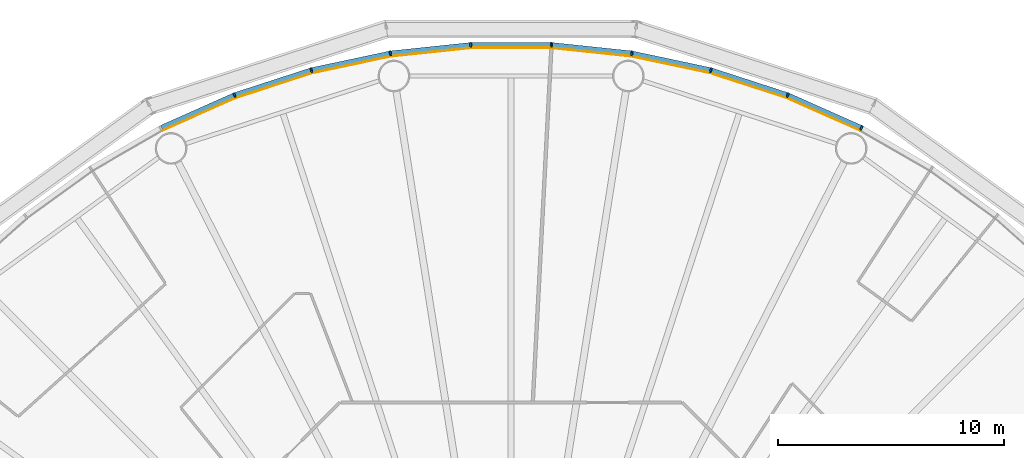
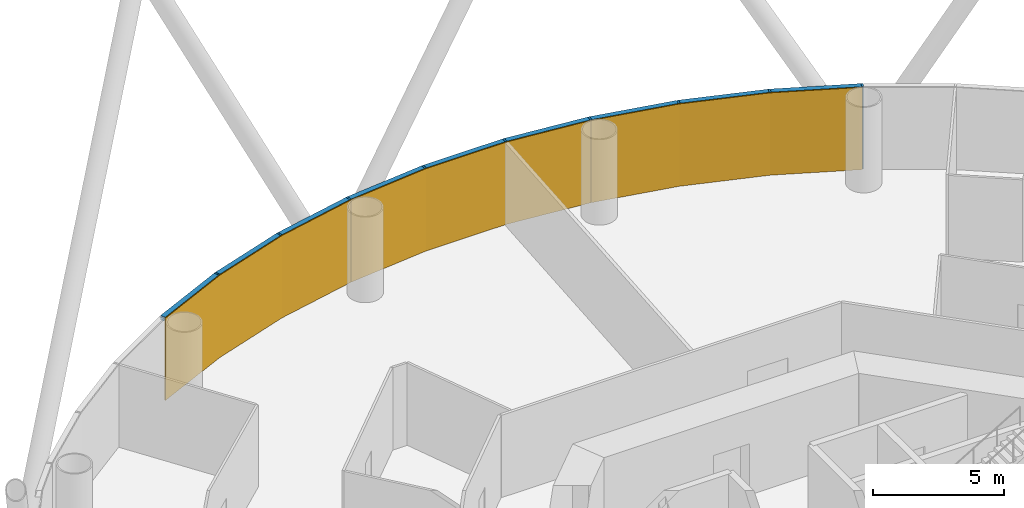
# One storey, part 12 of 13: 18 members, 3 curtain walls.
"""IFC4 building model written with IfcOpenShell, lengths in metres."""

from ifc_helpers import new_model, si_unit, direction, frame, origin, origin_2d, place, context, subcontext, project, spatial, polyline, rectangle, outline, extrude, material, layer, layer_set, material_profile, profile_set, type_object, element, aggregate, save


model = new_model("IFC4")

# Units and contexts
model_context = context("Model", 3, precision=1e-05, world=origin(), true_north=direction((0.0, 1.0)))
body_context = subcontext(model_context, "Body", "Model", "MODEL_VIEW")
ifc_project = project(units=[si_unit("LENGTHUNIT", "METRE"), si_unit("AREAUNIT", "SQUARE_METRE"), si_unit("VOLUMEUNIT", "CUBIC_METRE"), si_unit("PLANEANGLEUNIT", "RADIAN"), si_unit("MASSUNIT", "GRAM", prefix="KILO")], contexts=[model_context])

# Member
ifc_material_1 = material(Name="Anodised aluminium", Category="aluminium")
ifc_material_profile_1 = material_profile(ifc_material_1, rectangle(XDim=0.074951171875, YDim=0.219970703125, at=origin_2d()), Name="Mullion 75 x 220 mm anodised aluminium")
ifc_profile_set_1 = profile_set([ifc_material_profile_1], Name="Anodised aluminium")
member_type_1 = type_object("IfcMemberType", Name="Mullion 75 x 220 mm anodised aluminium", PredefinedType="MULLION", material=ifc_profile_set_1)
site_placement = place(None, origin())
building_placement = place(site_placement, origin())
storey_placement = place(building_placement, frame((0.0, 0.0, 54.0)))
member_1_placement = place(storey_placement, frame((105.485595703125, 110.392333984375, 0.0), z_axis=(0.0, 0.0, 1.0), x_axis=(-0.891006524188, 0.45399049974, 0.0)))
member_1 = element("IfcMember", 1, at=member_1_placement, type_object=member_type_1, Name="MULLION L11-09", PredefinedType="MULLION", context=body_context, shape_type="SweptSolid", body=[
    extrude(rectangle(XDim=0.074951171875, YDim=0.219970703125, at=origin_2d()), origin(), (0.0, 0.0, 1.0), 3.85009765625),
])

member_2_placement = place(storey_placement, frame((102.223876953125, 111.844482421875, 0.0), z_axis=(0.0, 0.0, 1.0), x_axis=(-0.933580426497, 0.358367949545, 0.0)))
member_2 = element("IfcMember", 2, at=member_2_placement, type_object=member_type_1, Name="MULLION L11-10", PredefinedType="MULLION", context=body_context, shape_type="SweptSolid", body=[
    extrude(rectangle(XDim=0.074951171875, YDim=0.219970703125, at=origin_2d()), origin(), (0.0, 0.0, 1.0), 3.85009765625),
])

member_3_placement = place(storey_placement, frame((98.828369140625, 112.94775390625, 0.0), z_axis=(0.0, 0.0, 1.0), x_axis=(-0.965925826289, 0.258819045103, 0.0)))
member_3 = element("IfcMember", 3, at=member_3_placement, type_object=member_type_1, Name="MULLION L11-11", PredefinedType="MULLION", context=body_context, shape_type="SweptSolid", body=[
    extrude(rectangle(XDim=0.074951171875, YDim=0.219970703125, at=origin_2d()), origin(), (0.0, 0.0, 1.0), 3.85009765625),
])

member_4_placement = place(storey_placement, frame((95.3359375, 113.68994140625, 0.0), z_axis=(0.0, 0.0, 1.0), x_axis=(-0.987688340595, 0.15643446504, 0.0)))
member_4 = element("IfcMember", 4, at=member_4_placement, type_object=member_type_1, Name="MULLION L11-12", PredefinedType="MULLION", context=body_context, shape_type="SweptSolid", body=[
    extrude(rectangle(XDim=0.074951171875, YDim=0.219970703125, at=origin_2d()), origin(), (0.0, 0.0, 1.0), 3.85009765625),
])

member_5_placement = place(storey_placement, frame((91.78515625, 114.063232421875, 0.0), z_axis=(0.0, 0.0, 1.0), x_axis=(-0.998629534755, 0.052335956243, 0.0)))
member_5 = element("IfcMember", 5, at=member_5_placement, type_object=member_type_1, Name="MULLION L11-13", PredefinedType="MULLION", context=body_context, shape_type="SweptSolid", body=[
    extrude(rectangle(XDim=0.074951171875, YDim=0.219970703125, at=origin_2d()), origin(), (0.0, 0.0, 1.0), 3.85009765625),
])

member_6_placement = place(storey_placement, frame((88.21484375, 114.063232421875, 0.0), z_axis=(0.0, 0.0, 1.0), x_axis=(-0.998629534755, -0.052335956243, 0.0)))
member_6 = element("IfcMember", 6, at=member_6_placement, type_object=member_type_1, Name="MULLION L11-14", PredefinedType="MULLION", context=body_context, shape_type="SweptSolid", body=[
    extrude(rectangle(XDim=0.074951171875, YDim=0.219970703125, at=origin_2d()), origin(), (0.0, 0.0, 1.0), 3.85009765625),
])

member_7_placement = place(storey_placement, frame((84.6640625, 113.68994140625, 0.0), z_axis=(0.0, 0.0, 1.0), x_axis=(-0.987688340595, -0.15643446504, 0.0)))
member_7 = element("IfcMember", 7, at=member_7_placement, type_object=member_type_1, Name="MULLION L11-15", PredefinedType="MULLION", context=body_context, shape_type="SweptSolid", body=[
    extrude(rectangle(XDim=0.074951171875, YDim=0.219970703125, at=origin_2d()), origin(), (0.0, 0.0, 1.0), 3.85009765625),
])

member_8_placement = place(storey_placement, frame((81.171630859375, 112.94775390625, 0.0), z_axis=(0.0, 0.0, 1.0), x_axis=(-0.965925826289, -0.258819045103, 0.0)))
member_8 = element("IfcMember", 8, at=member_8_placement, type_object=member_type_1, Name="MULLION L11-16", PredefinedType="MULLION", context=body_context, shape_type="SweptSolid", body=[
    extrude(rectangle(XDim=0.074951171875, YDim=0.219970703125, at=origin_2d()), origin(), (0.0, 0.0, 1.0), 3.85009765625),
])

member_9_placement = place(storey_placement, frame((77.776123046875, 111.844482421875, 0.0), z_axis=(0.0, 0.0, 1.0), x_axis=(-0.933580426497, -0.358367949545, 0.0)))
member_9 = element("IfcMember", 9, at=member_9_placement, type_object=member_type_1, Name="MULLION L11-17", PredefinedType="MULLION", context=body_context, shape_type="SweptSolid", body=[
    extrude(rectangle(XDim=0.074951171875, YDim=0.219970703125, at=origin_2d()), origin(), (0.0, 0.0, 1.0), 3.85009765625),
])

ifc_material_2 = material(Name="Anodised aluminium", Category="aluminium")
ifc_material_profile_2 = material_profile(ifc_material_2, rectangle(XDim=0.219970703125, YDim=0.199951171875, at=origin_2d()), Name="Transom 200 x 220 mm anodised aluminium")
ifc_profile_set_2 = profile_set([ifc_material_profile_2], Name="Anodised aluminium")
member_type_2 = type_object("IfcMemberType", Name="Transom 200 x 220 mm anodised aluminium", PredefinedType="USERDEFINED", material=ifc_profile_set_2)
member_10_placement = place(storey_placement, frame((105.446044921875, 110.409912109375, 3.75), z_axis=(-0.913545487371, 0.406736576304, 0.0), x_axis=(-0.406736576304, -0.913545487371, 0.0)))
member_10 = element("IfcMember", 10, at=member_10_placement, type_object=member_type_2, Name="TRANSOM L11-09", ObjectType="TRANSOM", PredefinedType="USERDEFINED", context=body_context, shape_type="SweptSolid", body=[
    extrude(rectangle(XDim=0.219970703125, YDim=0.199951171875, at=origin_2d()), origin(), (0.0, 0.0, 1.0), 3.48388671875),
])

member_11_placement = place(storey_placement, frame((102.182861328125, 111.85791015625, 3.75), z_axis=(-0.951052605696, 0.309029029702, 0.0), x_axis=(-0.309029029702, -0.951052605696, 0.0)))
member_11 = element("IfcMember", 11, at=member_11_placement, type_object=member_type_2, Name="TRANSOM L11-10", ObjectType="TRANSOM", PredefinedType="USERDEFINED", context=body_context, shape_type="SweptSolid", body=[
    extrude(rectangle(XDim=0.219970703125, YDim=0.199951171875, at=origin_2d()), origin(), (0.0, 0.0, 1.0), 3.484130859375),
])

member_12_placement = place(storey_placement, frame((98.7861328125, 112.956787109375, 3.75), z_axis=(-0.978145669426, 0.207920776701, 0.0), x_axis=(-0.207920776701, -0.978145669426, 0.0)))
member_12 = element("IfcMember", 12, at=member_12_placement, type_object=member_type_2, Name="TRANSOM L11-11", ObjectType="TRANSOM", PredefinedType="USERDEFINED", context=body_context, shape_type="SweptSolid", body=[
    extrude(rectangle(XDim=0.219970703125, YDim=0.199951171875, at=origin_2d()), origin(), (0.0, 0.0, 1.0), 3.48388671875),
])

member_13_placement = place(storey_placement, frame((95.29296875, 113.69482421875, 3.75), z_axis=(-0.994526551648, 0.104484152234, 0.0), x_axis=(-0.104484152234, -0.994526551648, 0.0)))
member_13 = element("IfcMember", 13, at=member_13_placement, type_object=member_type_2, Name="TRANSOM L11-12", ObjectType="TRANSOM", PredefinedType="USERDEFINED", context=body_context, shape_type="SweptSolid", body=[
    extrude(rectangle(XDim=0.219970703125, YDim=0.199951171875, at=origin_2d()), origin(), (0.0, 0.0, 1.0), 3.48388671875),
])

member_14_placement = place(storey_placement, frame((91.741943359375, 114.0634765625, 3.75), z_axis=(-1.0, 0.0, 0.0), x_axis=(0.0, -1.0, 0.0)))
member_14 = element("IfcMember", 14, at=member_14_placement, type_object=member_type_2, Name="TRANSOM L11-13", ObjectType="TRANSOM", PredefinedType="USERDEFINED", context=body_context, shape_type="SweptSolid", body=[
    extrude(rectangle(XDim=0.219970703125, YDim=0.199951171875, at=origin_2d()), origin(), (0.0, 0.0, 1.0), 3.48388671875),
])

member_15_placement = place(storey_placement, frame((88.171875, 114.058837890625, 3.75), z_axis=(-0.994526551648, -0.104484152234, 0.0), x_axis=(0.104484152234, -0.994526551648, 0.0)))
member_15 = element("IfcMember", 15, at=member_15_placement, type_object=member_type_2, Name="TRANSOM L11-14", ObjectType="TRANSOM", PredefinedType="USERDEFINED", context=body_context, shape_type="SweptSolid", body=[
    extrude(rectangle(XDim=0.219970703125, YDim=0.199951171875, at=origin_2d()), origin(), (0.0, 0.0, 1.0), 3.48388671875),
])

member_16_placement = place(storey_placement, frame((84.62158203125, 113.68115234375, 3.75), z_axis=(-0.978145669426, -0.207920776701, 0.0), x_axis=(0.207920776701, -0.978145669426, 0.0)))
member_16 = element("IfcMember", 16, at=member_16_placement, type_object=member_type_2, Name="TRANSOM L11-15", ObjectType="TRANSOM", PredefinedType="USERDEFINED", context=body_context, shape_type="SweptSolid", body=[
    extrude(rectangle(XDim=0.219970703125, YDim=0.199951171875, at=origin_2d()), origin(), (0.0, 0.0, 1.0), 3.48388671875),
])

member_17_placement = place(storey_placement, frame((81.130615234375, 112.9345703125, 3.75), z_axis=(-0.951052605696, -0.309029029702, 0.0), x_axis=(0.309029029702, -0.951052605696, 0.0)))
member_17 = element("IfcMember", 17, at=member_17_placement, type_object=member_type_2, Name="TRANSOM L11-16", ObjectType="TRANSOM", PredefinedType="USERDEFINED", context=body_context, shape_type="SweptSolid", body=[
    extrude(rectangle(XDim=0.219970703125, YDim=0.199951171875, at=origin_2d()), origin(), (0.0, 0.0, 1.0), 3.484130859375),
])

member_18_placement = place(storey_placement, frame((77.736572265625, 111.826904296875, 3.75), z_axis=(-0.913545487371, -0.406736576304, 0.0), x_axis=(0.406736576304, -0.913545487371, 0.0)))
member_18 = element("IfcMember", 18, at=member_18_placement, type_object=member_type_2, Name="TRANSOM L11-17", ObjectType="TRANSOM", PredefinedType="USERDEFINED", context=body_context, shape_type="SweptSolid", body=[
    extrude(rectangle(XDim=0.219970703125, YDim=0.199951171875, at=origin_2d()), origin(), (0.0, 0.0, 1.0), 3.48388671875),
])

# Site, building, storey
site = spatial("IfcSite", under=ifc_project, at=site_placement, CompositionType="ELEMENT")
building = spatial("IfcBuilding", under=site, at=building_placement, Name="Entoto Ring Tower", CompositionType="ELEMENT")
storey = spatial("IfcBuildingStorey", under=building, at=storey_placement, Name="L11", CompositionType="ELEMENT", Elevation=54.0)

# Curtain wall
ifc_material_3 = material(Name="Clear low-iron glass", Category="glass")
ifc_layer = layer(ifc_material_3, 0.0400390625)
ifc_layer_set = layer_set([ifc_layer], Name="Clear low-iron glass")
curtain_wall_type = type_object("IfcCurtainWallType", Name="Curtain wall system CW1 glazing 40 mm", PredefinedType="NOTDEFINED", material=ifc_layer_set)
curtain_wall_1_placement = place(storey_placement, origin())
curtain_wall_1 = element("IfcCurtainWall", 19, at=curtain_wall_1_placement, inside=storey, type_object=curtain_wall_type, Name="CW1 L11-04", PredefinedType="NOTDEFINED", context=body_context, shape_type="SweptSolid", body=[
    extrude(outline(polyline([(105.435791015625, 110.294189453125), (102.1845703125, 111.74169921875), (98.7998046875, 112.841552734375), (95.31884765625, 113.581298828125), (95.3125, 113.541748046875), (98.78955078125, 112.802734375), (102.170166015625, 111.704345703125), (105.41748046875, 110.258544921875), (105.435791015625, 110.294189453125)])), origin(), (0.0, 0.0, 1.0), 3.85009765625),
])

aggregate(curtain_wall_1, [member_1, member_2, member_3, member_10, member_11, member_12])

curtain_wall_2_placement = place(storey_placement, origin())
curtain_wall_2 = element("IfcCurtainWall", 20, at=curtain_wall_2_placement, inside=storey, type_object=curtain_wall_type, Name="CW1 L11-05", PredefinedType="NOTDEFINED", context=body_context, shape_type="SweptSolid", body=[
    extrude(outline(polyline([(95.31884765625, 113.581298828125), (91.779541015625, 113.953369140625), (88.220458984375, 113.953369140625), (84.68115234375, 113.581298828125), (84.6875, 113.541748046875), (88.22265625, 113.913330078125), (91.77734375, 113.913330078125), (95.3125, 113.541748046875), (95.31884765625, 113.581298828125)])), origin(), (0.0, 0.0, 1.0), 3.85009765625),
])

aggregate(curtain_wall_2, [member_4, member_5, member_6, member_13, member_14, member_15])

curtain_wall_3_placement = place(storey_placement, origin())
curtain_wall_3 = element("IfcCurtainWall", 21, at=curtain_wall_3_placement, inside=storey, type_object=curtain_wall_type, Name="CW1 L11-06", PredefinedType="NOTDEFINED", context=body_context, shape_type="SweptSolid", body=[
    extrude(outline(polyline([(84.68115234375, 113.581298828125), (81.2001953125, 112.841552734375), (77.8154296875, 111.74169921875), (74.564208984375, 110.294189453125), (74.58251953125, 110.258544921875), (77.829833984375, 111.704345703125), (81.21044921875, 112.802734375), (84.6875, 113.541748046875), (84.68115234375, 113.581298828125)])), origin(), (0.0, 0.0, 1.0), 3.85009765625),
])

aggregate(curtain_wall_3, [member_7, member_8, member_9, member_16, member_17, member_18])

save(model, "model.ifc")
